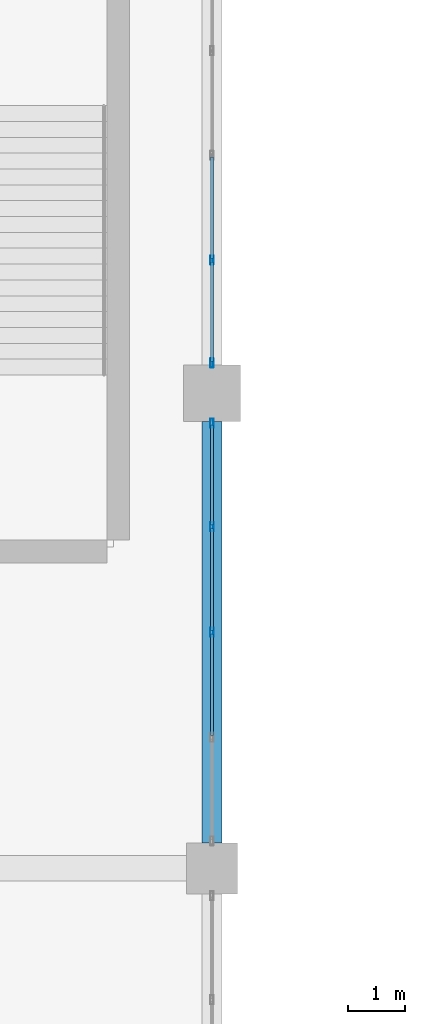
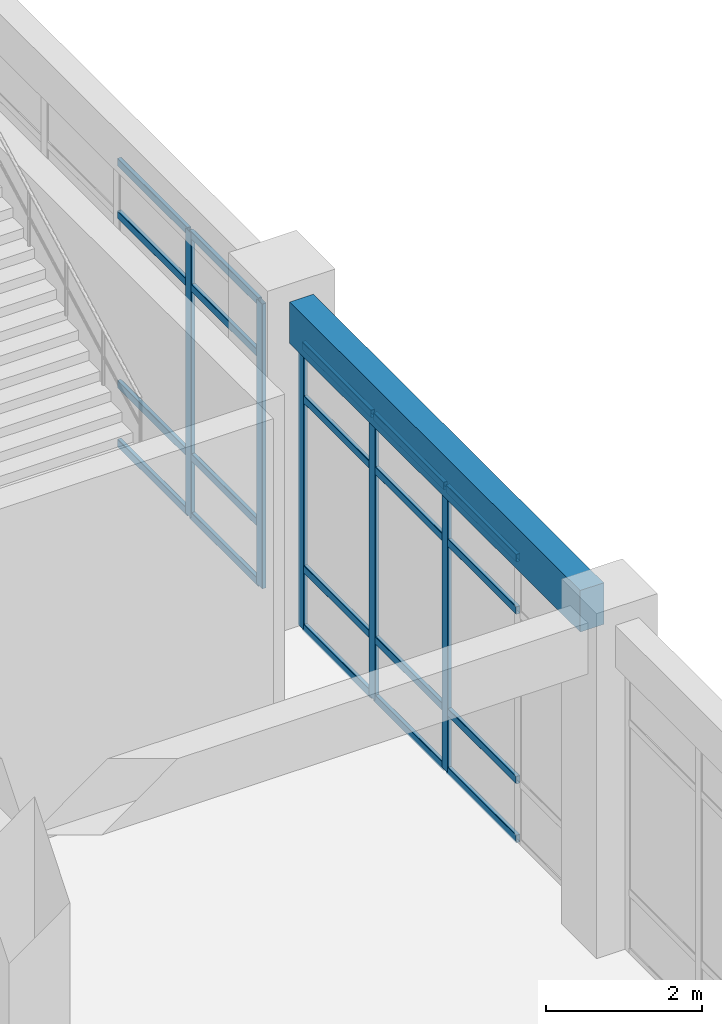
# One storey, part 24 of 114: 25 members, 1 beam, 2 elements without a shape of their own.
"""IFC4 building model written with IfcOpenShell, lengths in metres."""

from ifc_helpers import new_model, si_unit, derived_unit, direction, frame, origin, origin_2d, place, context, subcontext, project, spatial, rectangle, hollow_rectangle, extrude, material, layer, layer_set, material_profile, profile_set, type_object, element, aggregate, save


model = new_model("IFC4")

# Units and contexts
model_context = context("Model", 3, precision=1e-05, world=origin(), true_north=direction((0.0, 1.0)))
body_context = subcontext(model_context, "Body", "Model", "MODEL_VIEW")
ifc_project = project(units=[si_unit("LENGTHUNIT", "METRE"), si_unit("AREAUNIT", "SQUARE_METRE"), si_unit("VOLUMEUNIT", "CUBIC_METRE"), si_unit("PLANEANGLEUNIT", "RADIAN"), si_unit("MASSUNIT", "GRAM", prefix="KILO"), derived_unit("THERMALTRANSMITTANCEUNIT", [(si_unit("MASSUNIT", "GRAM", prefix="KILO"), 1), (si_unit("TIMEUNIT", "SECOND"), -3), (si_unit("THERMODYNAMICTEMPERATUREUNIT", "KELVIN"), -1)])], contexts=[model_context])

# Site, building, storey
site_placement = place(None, origin())
site = spatial("IfcSite", under=ifc_project, at=site_placement, CompositionType="ELEMENT")
building_placement = place(site_placement, origin())
building = spatial("IfcBuilding", under=site, at=building_placement, Name="Qinzheling Arcade Emporium", CompositionType="ELEMENT")
storey_placement = place(building_placement, frame((0.0, 0.0, 6.0)))
storey = spatial("IfcBuildingStorey", under=building, at=storey_placement, Name="L02", CompositionType="ELEMENT", Elevation=6.0)

# Curtain wall, members
ifc_material_1 = material(Name="Anodised aluminium and solar-control double glazing", Category="aluminium")
ifc_layer = layer(ifc_material_1, 0.159912109375, Name="Anodised aluminium and solar-control double glazing", Category="aluminium")
ifc_layer_set = layer_set([ifc_layer], Name="Anodised aluminium and solar-control double glazing")
curtain_wall_type = type_object("IfcCurtainWallType", Name="Arcade Portal Glazed Curtain Wall", PredefinedType="NOTDEFINED", material=ifc_layer_set)
curtain_wall_1_placement = place(storey_placement, origin())
curtain_wall_1 = element("IfcCurtainWall", 1, at=curtain_wall_1_placement, inside=storey, type_object=curtain_wall_type, Name="Curtain Wall CW-L02-066", PredefinedType="NOTDEFINED")
ifc_material_2 = material(Name="Anodised aluminium 6063-T6", Category="aluminium")
ifc_material_profile_1 = material_profile(ifc_material_2, hollow_rectangle(XDim=0.06005859375, YDim=0.159912109375, WallThickness=0.00390625, InnerFilletRadius=0.00390625, OuterFilletRadius=0.008056640625, at=origin_2d()), Name="RHS 160x60x4", Category="aluminium")
ifc_profile_set_1 = profile_set([ifc_material_profile_1], Name="Anodised aluminium 6063-T6")
member_type_1 = type_object("IfcMemberType", Name="Curtain Wall Mullion RHS160x60", PredefinedType="MULLION", material=ifc_profile_set_1)
member_1_placement = place(storey_placement, frame((69.60009765625, 27.551025390625, 0.0), z_axis=(0.0, 0.0, 1.0), x_axis=(1.0, 0.0, 0.0)))
member_1 = element("IfcMember", 2, at=member_1_placement, type_object=member_type_1, Name="CW05 mullion 4", PredefinedType="MULLION", context=body_context, shape_type="SweptSolid", body=[
    extrude(hollow_rectangle(XDim=0.06005859375, YDim=0.159912109375, WallThickness=0.00390625, InnerFilletRadius=0.00390625, OuterFilletRadius=0.008056640625, at=origin_2d()), origin(), (0.0, 0.0, 1.0), 4.455078125),
])
member_2_placement = place(storey_placement, frame((69.60009765625, 25.73193359375, 0.0), z_axis=(0.0, 0.0, 1.0), x_axis=(1.0, 0.0, 0.0)))
member_2 = element("IfcMember", 3, at=member_2_placement, type_object=member_type_1, Name="CW05 mullion 5", PredefinedType="MULLION", context=body_context, shape_type="SweptSolid", body=[
    extrude(hollow_rectangle(XDim=0.06005859375, YDim=0.159912109375, WallThickness=0.00390625, InnerFilletRadius=0.00390625, OuterFilletRadius=0.008056640625, at=origin_2d()), origin(), (0.0, 0.0, 1.0), 4.455078125),
])

curtain_wall_2_placement = place(storey_placement, origin())
curtain_wall_2 = element("IfcCurtainWall", 4, at=curtain_wall_2_placement, inside=storey, type_object=curtain_wall_type, Name="Curtain Wall CW-L02-067", PredefinedType="NOTDEFINED")
member_3_placement = place(storey_placement, frame((69.60009765625, 24.66796875, 0.0), z_axis=(0.0, 0.0, 1.0), x_axis=(1.0, 0.0, 0.0)))
member_3 = element("IfcMember", 5, at=member_3_placement, type_object=member_type_1, Name="CW05 mullion 1", PredefinedType="MULLION", context=body_context, shape_type="SweptSolid", body=[
    extrude(hollow_rectangle(XDim=0.06005859375, YDim=0.159912109375, WallThickness=0.00390625, InnerFilletRadius=0.00390625, OuterFilletRadius=0.008056640625, at=origin_2d()), origin(), (0.0, 0.0, 1.0), 4.455078125),
])
member_4_placement = place(storey_placement, frame((69.60009765625, 22.83642578125, 0.0), z_axis=(0.0, 0.0, 1.0), x_axis=(1.0, 0.0, 0.0)))
member_4 = element("IfcMember", 6, at=member_4_placement, type_object=member_type_1, Name="CW05 mullion 2", PredefinedType="MULLION", context=body_context, shape_type="SweptSolid", body=[
    extrude(hollow_rectangle(XDim=0.06005859375, YDim=0.159912109375, WallThickness=0.00390625, InnerFilletRadius=0.00390625, OuterFilletRadius=0.008056640625, at=origin_2d()), origin(), (0.0, 0.0, 1.0), 4.455078125),
])
member_5_placement = place(storey_placement, frame((69.60009765625, 20.97509765625, 0.0), z_axis=(0.0, 0.0, 1.0), x_axis=(1.0, 0.0, 0.0)))
member_5 = element("IfcMember", 7, at=member_5_placement, type_object=member_type_1, Name="CW05 mullion 3", PredefinedType="MULLION", context=body_context, shape_type="SweptSolid", body=[
    extrude(hollow_rectangle(XDim=0.06005859375, YDim=0.159912109375, WallThickness=0.00390625, InnerFilletRadius=0.00390625, OuterFilletRadius=0.008056640625, at=origin_2d()), origin(), (0.0, 0.0, 1.0), 4.455078125),
])

# Member
ifc_material_profile_2 = material_profile(ifc_material_2, hollow_rectangle(XDim=0.06005859375, YDim=0.1201171875, WallThickness=0.00390625, InnerFilletRadius=0.00390625, OuterFilletRadius=0.008056640625, at=origin_2d()), Name="RHS 120x60x4", Category="aluminium")
ifc_profile_set_2 = profile_set([ifc_material_profile_2], Name="Anodised aluminium 6063-T6")
member_type_2 = type_object("IfcMemberType", Name="Curtain Wall Transom RHS120x60", PredefinedType="USERDEFINED", material=ifc_profile_set_2)
member_6_placement = place(storey_placement, frame((69.60009765625, 29.3701171875, 0.030029296875), z_axis=(0.0, -1.0, 0.0), x_axis=(1.0, 0.0, 0.0)))
member_6 = element("IfcMember", 8, at=member_6_placement, type_object=member_type_2, Name="CW05 transom 3.1", ObjectType="TRANSOM", PredefinedType="USERDEFINED", context=body_context, shape_type="SweptSolid", body=[
    extrude(hollow_rectangle(XDim=0.06005859375, YDim=0.1201171875, WallThickness=0.00390625, InnerFilletRadius=0.00390625, OuterFilletRadius=0.008056640625, at=origin_2d()), origin(), (0.0, 0.0, 1.0), 1.7890625),
])

member_7_placement = place(storey_placement, frame((69.60009765625, 29.3701171875, 0.949951171875), z_axis=(0.0, -1.0, 0.0), x_axis=(1.0, 0.0, 0.0)))
member_7 = element("IfcMember", 9, at=member_7_placement, type_object=member_type_2, Name="CW05 transom 3.2", ObjectType="TRANSOM", PredefinedType="USERDEFINED", context=body_context, shape_type="SweptSolid", body=[
    extrude(hollow_rectangle(XDim=0.06005859375, YDim=0.1201171875, WallThickness=0.00390625, InnerFilletRadius=0.00390625, OuterFilletRadius=0.008056640625, at=origin_2d()), origin(), (0.0, 0.0, 1.0), 1.7890625),
])

member_8_placement = place(storey_placement, frame((69.60009765625, 29.3701171875, 3.60498046875), z_axis=(0.0, -1.0, 0.0), x_axis=(1.0, 0.0, 0.0)))
member_8 = element("IfcMember", 10, at=member_8_placement, type_object=member_type_2, Name="CW05 transom 3.3", ObjectType="TRANSOM", PredefinedType="USERDEFINED", context=body_context, shape_type="SweptSolid", body=[
    extrude(hollow_rectangle(XDim=0.06005859375, YDim=0.1201171875, WallThickness=0.00390625, InnerFilletRadius=0.00390625, OuterFilletRadius=0.008056640625, at=origin_2d()), origin(), (0.0, 0.0, 1.0), 1.7890625),
])

member_9_placement = place(storey_placement, frame((69.60009765625, 29.3701171875, 4.425048828125), z_axis=(0.0, -1.0, 0.0), x_axis=(1.0, 0.0, 0.0)))
member_9 = element("IfcMember", 11, at=member_9_placement, type_object=member_type_2, Name="CW05 transom 3.4", ObjectType="TRANSOM", PredefinedType="USERDEFINED", context=body_context, shape_type="SweptSolid", body=[
    extrude(hollow_rectangle(XDim=0.06005859375, YDim=0.1201171875, WallThickness=0.00390625, InnerFilletRadius=0.00390625, OuterFilletRadius=0.008056640625, at=origin_2d()), origin(), (0.0, 0.0, 1.0), 1.7890625),
])

member_10_placement = place(storey_placement, frame((69.60009765625, 27.52099609375, 0.030029296875), z_axis=(0.0, -1.0, 0.0), x_axis=(1.0, 0.0, 0.0)))
member_10 = element("IfcMember", 12, at=member_10_placement, type_object=member_type_2, Name="CW05 transom 4.1", ObjectType="TRANSOM", PredefinedType="USERDEFINED", context=body_context, shape_type="SweptSolid", body=[
    extrude(hollow_rectangle(XDim=0.06005859375, YDim=0.1201171875, WallThickness=0.00390625, InnerFilletRadius=0.00390625, OuterFilletRadius=0.008056640625, at=origin_2d()), origin(), (0.0, 0.0, 1.0), 1.759033203125),
])

member_11_placement = place(storey_placement, frame((69.60009765625, 27.52099609375, 0.949951171875), z_axis=(0.0, -1.0, 0.0), x_axis=(1.0, 0.0, 0.0)))
member_11 = element("IfcMember", 13, at=member_11_placement, type_object=member_type_2, Name="CW05 transom 4.2", ObjectType="TRANSOM", PredefinedType="USERDEFINED", context=body_context, shape_type="SweptSolid", body=[
    extrude(hollow_rectangle(XDim=0.06005859375, YDim=0.1201171875, WallThickness=0.00390625, InnerFilletRadius=0.00390625, OuterFilletRadius=0.008056640625, at=origin_2d()), origin(), (0.0, 0.0, 1.0), 1.759033203125),
])

member_12_placement = place(storey_placement, frame((69.60009765625, 27.52099609375, 3.60498046875), z_axis=(0.0, -1.0, 0.0), x_axis=(1.0, 0.0, 0.0)))
member_12 = element("IfcMember", 14, at=member_12_placement, type_object=member_type_2, Name="CW05 transom 4.3", ObjectType="TRANSOM", PredefinedType="USERDEFINED", context=body_context, shape_type="SweptSolid", body=[
    extrude(hollow_rectangle(XDim=0.06005859375, YDim=0.1201171875, WallThickness=0.00390625, InnerFilletRadius=0.00390625, OuterFilletRadius=0.008056640625, at=origin_2d()), origin(), (0.0, 0.0, 1.0), 1.759033203125),
])

member_13_placement = place(storey_placement, frame((69.60009765625, 27.52099609375, 4.425048828125), z_axis=(0.0, -1.0, 0.0), x_axis=(1.0, 0.0, 0.0)))
member_13 = element("IfcMember", 15, at=member_13_placement, type_object=member_type_2, Name="CW05 transom 4.4", ObjectType="TRANSOM", PredefinedType="USERDEFINED", context=body_context, shape_type="SweptSolid", body=[
    extrude(hollow_rectangle(XDim=0.06005859375, YDim=0.1201171875, WallThickness=0.00390625, InnerFilletRadius=0.00390625, OuterFilletRadius=0.008056640625, at=origin_2d()), origin(), (0.0, 0.0, 1.0), 1.759033203125),
])

aggregate(curtain_wall_1, [member_1, member_2, member_6, member_7, member_8, member_9, member_10, member_11, member_12, member_13])

member_14_placement = place(storey_placement, frame((69.60009765625, 24.637939453125, 0.030029296875), z_axis=(0.0, -1.0, 0.0), x_axis=(1.0, 0.0, 0.0)))
member_14 = element("IfcMember", 16, at=member_14_placement, type_object=member_type_2, Name="CW05 transom 1.1", ObjectType="TRANSOM", PredefinedType="USERDEFINED", context=body_context, shape_type="SweptSolid", body=[
    extrude(hollow_rectangle(XDim=0.06005859375, YDim=0.1201171875, WallThickness=0.00390625, InnerFilletRadius=0.00390625, OuterFilletRadius=0.008056640625, at=origin_2d()), origin(), (0.0, 0.0, 1.0), 1.771484375),
])

member_15_placement = place(storey_placement, frame((69.60009765625, 24.637939453125, 0.949951171875), z_axis=(0.0, -1.0, 0.0), x_axis=(1.0, 0.0, 0.0)))
member_15 = element("IfcMember", 17, at=member_15_placement, type_object=member_type_2, Name="CW05 transom 1.2", ObjectType="TRANSOM", PredefinedType="USERDEFINED", context=body_context, shape_type="SweptSolid", body=[
    extrude(hollow_rectangle(XDim=0.06005859375, YDim=0.1201171875, WallThickness=0.00390625, InnerFilletRadius=0.00390625, OuterFilletRadius=0.008056640625, at=origin_2d()), origin(), (0.0, 0.0, 1.0), 1.771484375),
])

member_16_placement = place(storey_placement, frame((69.60009765625, 24.637939453125, 3.60498046875), z_axis=(0.0, -1.0, 0.0), x_axis=(1.0, 0.0, 0.0)))
member_16 = element("IfcMember", 18, at=member_16_placement, type_object=member_type_2, Name="CW05 transom 1.3", ObjectType="TRANSOM", PredefinedType="USERDEFINED", context=body_context, shape_type="SweptSolid", body=[
    extrude(hollow_rectangle(XDim=0.06005859375, YDim=0.1201171875, WallThickness=0.00390625, InnerFilletRadius=0.00390625, OuterFilletRadius=0.008056640625, at=origin_2d()), origin(), (0.0, 0.0, 1.0), 1.771484375),
])

member_17_placement = place(storey_placement, frame((69.60009765625, 24.637939453125, 4.425048828125), z_axis=(0.0, -1.0, 0.0), x_axis=(1.0, 0.0, 0.0)))
member_17 = element("IfcMember", 19, at=member_17_placement, type_object=member_type_2, Name="CW05 transom 1.4", ObjectType="TRANSOM", PredefinedType="USERDEFINED", context=body_context, shape_type="SweptSolid", body=[
    extrude(hollow_rectangle(XDim=0.06005859375, YDim=0.1201171875, WallThickness=0.00390625, InnerFilletRadius=0.00390625, OuterFilletRadius=0.008056640625, at=origin_2d()), origin(), (0.0, 0.0, 1.0), 1.771484375),
])

member_18_placement = place(storey_placement, frame((69.60009765625, 22.806396484375, 0.030029296875), z_axis=(0.0, -1.0, 0.0), x_axis=(1.0, 0.0, 0.0)))
member_18 = element("IfcMember", 20, at=member_18_placement, type_object=member_type_2, Name="CW05 transom 2.1", ObjectType="TRANSOM", PredefinedType="USERDEFINED", context=body_context, shape_type="SweptSolid", body=[
    extrude(hollow_rectangle(XDim=0.06005859375, YDim=0.1201171875, WallThickness=0.00390625, InnerFilletRadius=0.00390625, OuterFilletRadius=0.008056640625, at=origin_2d()), origin(), (0.0, 0.0, 1.0), 1.801513671875),
])

member_19_placement = place(storey_placement, frame((69.60009765625, 22.806396484375, 0.949951171875), z_axis=(0.0, -1.0, 0.0), x_axis=(1.0, 0.0, 0.0)))
member_19 = element("IfcMember", 21, at=member_19_placement, type_object=member_type_2, Name="CW05 transom 2.2", ObjectType="TRANSOM", PredefinedType="USERDEFINED", context=body_context, shape_type="SweptSolid", body=[
    extrude(hollow_rectangle(XDim=0.06005859375, YDim=0.1201171875, WallThickness=0.00390625, InnerFilletRadius=0.00390625, OuterFilletRadius=0.008056640625, at=origin_2d()), origin(), (0.0, 0.0, 1.0), 1.801513671875),
])

member_20_placement = place(storey_placement, frame((69.60009765625, 22.806396484375, 3.60498046875), z_axis=(0.0, -1.0, 0.0), x_axis=(1.0, 0.0, 0.0)))
member_20 = element("IfcMember", 22, at=member_20_placement, type_object=member_type_2, Name="CW05 transom 2.3", ObjectType="TRANSOM", PredefinedType="USERDEFINED", context=body_context, shape_type="SweptSolid", body=[
    extrude(hollow_rectangle(XDim=0.06005859375, YDim=0.1201171875, WallThickness=0.00390625, InnerFilletRadius=0.00390625, OuterFilletRadius=0.008056640625, at=origin_2d()), origin(), (0.0, 0.0, 1.0), 1.801513671875),
])

member_21_placement = place(storey_placement, frame((69.60009765625, 22.806396484375, 4.425048828125), z_axis=(0.0, -1.0, 0.0), x_axis=(1.0, 0.0, 0.0)))
member_21 = element("IfcMember", 23, at=member_21_placement, type_object=member_type_2, Name="CW05 transom 2.4", ObjectType="TRANSOM", PredefinedType="USERDEFINED", context=body_context, shape_type="SweptSolid", body=[
    extrude(hollow_rectangle(XDim=0.06005859375, YDim=0.1201171875, WallThickness=0.00390625, InnerFilletRadius=0.00390625, OuterFilletRadius=0.008056640625, at=origin_2d()), origin(), (0.0, 0.0, 1.0), 1.801513671875),
])

member_22_placement = place(storey_placement, frame((69.60009765625, 20.945068359375, 0.030029296875), z_axis=(0.0, -1.0, 0.0), x_axis=(1.0, 0.0, 0.0)))
member_22 = element("IfcMember", 24, at=member_22_placement, type_object=member_type_2, Name="CW05 transom 3.1", ObjectType="TRANSOM", PredefinedType="USERDEFINED", context=body_context, shape_type="SweptSolid", body=[
    extrude(hollow_rectangle(XDim=0.06005859375, YDim=0.1201171875, WallThickness=0.00390625, InnerFilletRadius=0.00390625, OuterFilletRadius=0.008056640625, at=origin_2d()), origin(), (0.0, 0.0, 1.0), 1.801513671875),
])

member_23_placement = place(storey_placement, frame((69.60009765625, 20.945068359375, 0.949951171875), z_axis=(0.0, -1.0, 0.0), x_axis=(1.0, 0.0, 0.0)))
member_23 = element("IfcMember", 25, at=member_23_placement, type_object=member_type_2, Name="CW05 transom 3.2", ObjectType="TRANSOM", PredefinedType="USERDEFINED", context=body_context, shape_type="SweptSolid", body=[
    extrude(hollow_rectangle(XDim=0.06005859375, YDim=0.1201171875, WallThickness=0.00390625, InnerFilletRadius=0.00390625, OuterFilletRadius=0.008056640625, at=origin_2d()), origin(), (0.0, 0.0, 1.0), 1.801513671875),
])

member_24_placement = place(storey_placement, frame((69.60009765625, 20.945068359375, 3.60498046875), z_axis=(0.0, -1.0, 0.0), x_axis=(1.0, 0.0, 0.0)))
member_24 = element("IfcMember", 26, at=member_24_placement, type_object=member_type_2, Name="CW05 transom 3.3", ObjectType="TRANSOM", PredefinedType="USERDEFINED", context=body_context, shape_type="SweptSolid", body=[
    extrude(hollow_rectangle(XDim=0.06005859375, YDim=0.1201171875, WallThickness=0.00390625, InnerFilletRadius=0.00390625, OuterFilletRadius=0.008056640625, at=origin_2d()), origin(), (0.0, 0.0, 1.0), 1.801513671875),
])

member_25_placement = place(storey_placement, frame((69.60009765625, 20.945068359375, 4.425048828125), z_axis=(0.0, -1.0, 0.0), x_axis=(1.0, 0.0, 0.0)))
member_25 = element("IfcMember", 27, at=member_25_placement, type_object=member_type_2, Name="CW05 transom 3.4", ObjectType="TRANSOM", PredefinedType="USERDEFINED", context=body_context, shape_type="SweptSolid", body=[
    extrude(hollow_rectangle(XDim=0.06005859375, YDim=0.1201171875, WallThickness=0.00390625, InnerFilletRadius=0.00390625, OuterFilletRadius=0.008056640625, at=origin_2d()), origin(), (0.0, 0.0, 1.0), 1.801513671875),
])

aggregate(curtain_wall_2, [member_3, member_4, member_5, member_14, member_15, member_16, member_17, member_18, member_19, member_20, member_21, member_22, member_23, member_24, member_25])

# Beam
ifc_material_3 = material(Name="Concrete C40", Category="concrete")
ifc_material_profile_3 = material_profile(ifc_material_3, rectangle(XDim=0.35009765625, YDim=0.64990234375, at=origin_2d()), Name="RC 350x650", Category="concrete")
ifc_profile_set_3 = profile_set([ifc_material_profile_3], Name="Concrete C40")
beam_type = type_object("IfcBeamType", Name="RC Spandrel Edge Beam 350x650 C40", PredefinedType="SPANDREL", material=ifc_profile_set_3)
beam_placement = place(storey_placement, frame((69.60009765625, 17.25, 4.794921875), z_axis=(0.0, 1.0, 0.0), x_axis=(-1.0, 0.0, 0.0)))
element("IfcBeam", 28, at=beam_placement, inside=storey, type_object=beam_type, Name="Beam BM-L02-Y-9-C", PredefinedType="SPANDREL", context=body_context, shape_type="SweptSolid", body=[
    extrude(rectangle(XDim=0.35009765625, YDim=0.64990234375, at=origin_2d()), origin(), (0.0, 0.0, 1.0), 7.449951171875),
])

save(model, "model.ifc")
